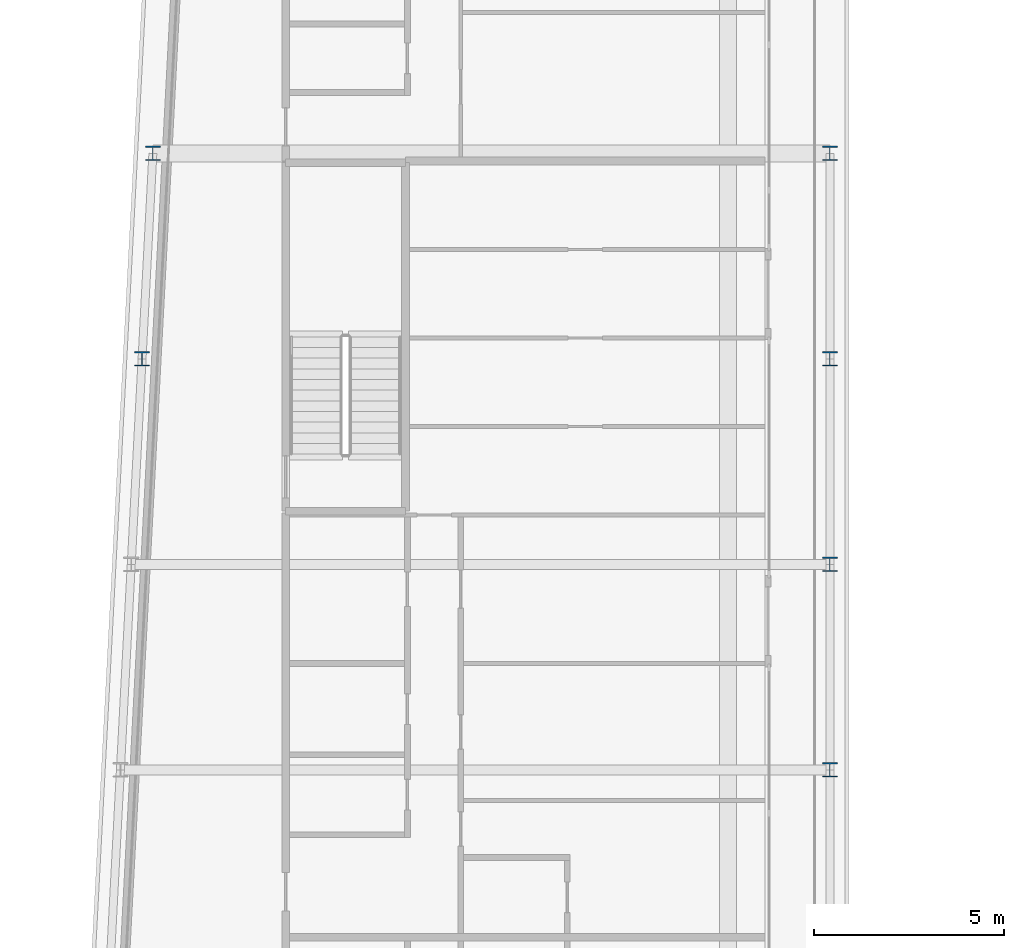
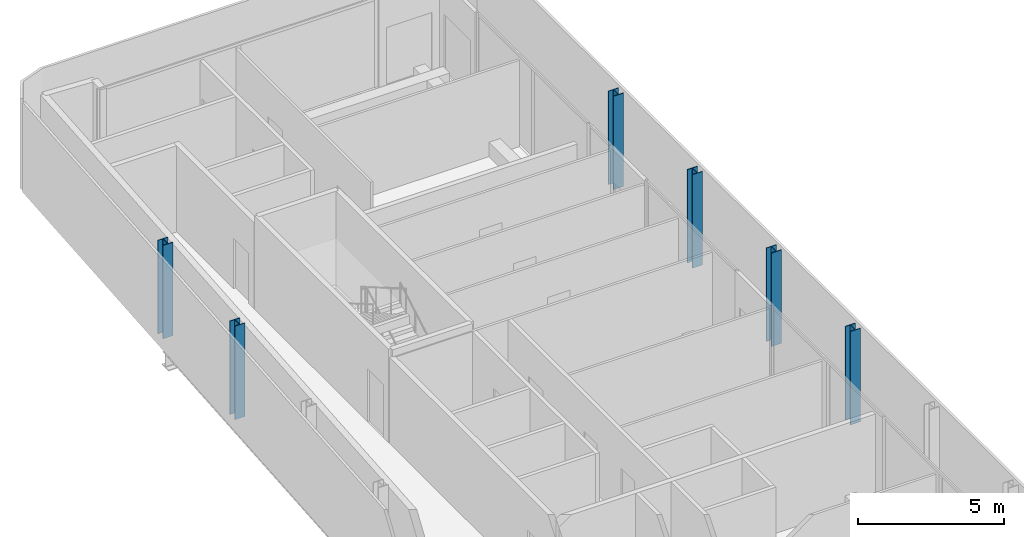
# One storey, part 4 of 20: 6 columns.
"""IFC4 building model written with IfcOpenShell, lengths in metres."""

from ifc_helpers import new_model, si_unit, direction, frame, origin, origin_2d, place, context, subcontext, project, spatial, i_section, extrude, material, material_profile, profile_set, type_object, element, save


model = new_model("IFC4")

# Units and contexts
model_context = context("Model", 3, precision=1e-05, world=origin(), true_north=direction((0.0, 1.0)))
body_context = subcontext(model_context, "Body", "Model", "MODEL_VIEW")
ifc_project = project(units=[si_unit("LENGTHUNIT", "METRE"), si_unit("AREAUNIT", "SQUARE_METRE"), si_unit("VOLUMEUNIT", "CUBIC_METRE"), si_unit("PLANEANGLEUNIT", "RADIAN"), si_unit("MASSUNIT", "GRAM", prefix="KILO")], contexts=[model_context])

# Site, building, storey
site_placement = place(None, origin())
site = spatial("IfcSite", under=ifc_project, at=site_placement, CompositionType="ELEMENT")
building_placement = place(site_placement, origin())
building = spatial("IfcBuilding", under=site, at=building_placement, Name="Kheshtan School and Residences Tower", CompositionType="ELEMENT")
storey_placement = place(building_placement, frame((0.0, 0.0, 286.39990234375)))
storey = spatial("IfcBuildingStorey", under=building, at=storey_placement, Name="L67", CompositionType="ELEMENT", Elevation=286.39990234375)

# Columns
ifc_material = material(Name="Steel ASTM A992 Grade 50", Category="steel")
ifc_material_profile = material_profile(ifc_material, i_section(OverallWidth=0.39501953125, OverallDepth=0.3798828125, WebThickness=0.018798828125, FlangeThickness=0.0302734375, FilletRadius=0.011474609375, at=origin_2d()), Name="W360x237")
ifc_profile_set = profile_set([ifc_material_profile], Name="Steel ASTM A992 Grade 50")
column_type = type_object("IfcColumnType", Name="Column C5 W360x237 ASTM A992 Grade 50", PredefinedType="COLUMN", material=ifc_profile_set)
for number, where, z_axis, x_axis, name in (
    (1, (47.60009765625, 72.60009765625, 0.0), (0.0, 0.0, 1.0), (1.0, 0.0, 0.0), "Column C087"),
    (2, (47.60009765625, 78.0, 0.0), (0.0, 0.0, 1.0), (1.0, 0.0, 0.0), "Column C089"),
    (3, (29.527099609375, 83.39990234375, 0.0), (0.0, 0.0, 1.0), (1.0, 0.0, 0.0), "Column C090"),
    (4, (47.60009765625, 83.39990234375, 0.0), (0.0, 0.0, 1.0), (1.0, 0.0, 0.0), "Column C091"),
    (5, (29.81103515625, 88.800048828125, 0.0), (0.0, 0.0, 1.0), (1.0, 0.0, 0.0), "Column C098"),
    (6, (47.60009765625, 88.800048828125, 0.0), (0.0, 0.0, 1.0), (1.0, 0.0, 0.0), "Column C099"),
):
    element("IfcColumn", number, at=place(storey_placement, frame(where, z_axis=z_axis, x_axis=x_axis)), inside=storey, type_object=column_type, Name=name, PredefinedType="COLUMN", context=body_context, shape_type="SweptSolid", body=[
        extrude(i_section(OverallWidth=0.39501953125, OverallDepth=0.3798828125, WebThickness=0.018798828125, FlangeThickness=0.0302734375, FilletRadius=0.011474609375, at=origin_2d()), origin(), (0.0, 0.0, 1.0), 3.900146484375),
    ])

save(model, "model.ifc")
